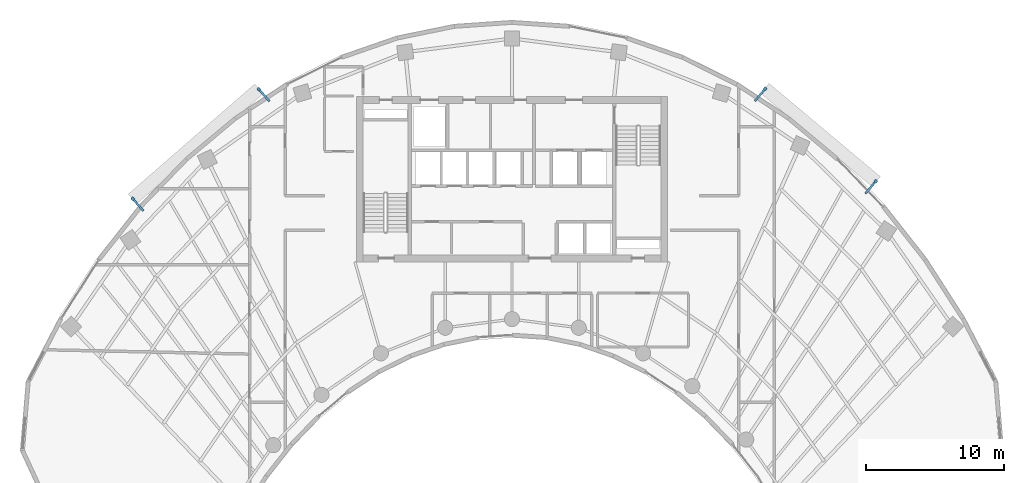
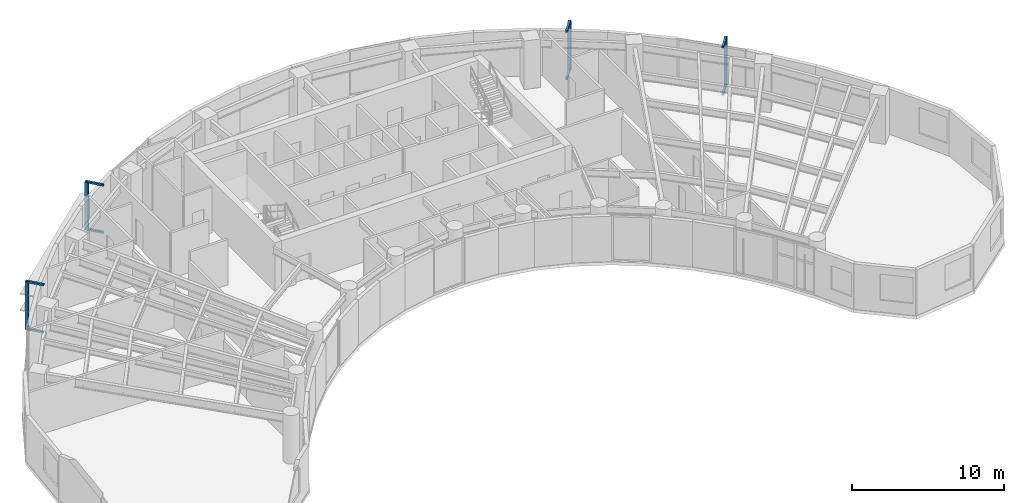
# One storey, part 11 of 13: 12 discrete accessories.
"""IFC4 building model written with IfcOpenShell, lengths in metres."""

from ifc_helpers import new_model, si_unit, direction, frame, origin, origin_2d, place, context, subcontext, project, spatial, rectangle, extrude, source, transform, mapped, material, type_object, type_shapes, element, save


model = new_model("IFC4")

# Units and contexts
model_context = context("Model", 3, precision=1e-05, world=origin(), true_north=direction((0.0, 1.0)))
body_context = subcontext(model_context, "Body", "Model", "MODEL_VIEW")
ifc_project = project(units=[si_unit("LENGTHUNIT", "METRE"), si_unit("AREAUNIT", "SQUARE_METRE"), si_unit("VOLUMEUNIT", "CUBIC_METRE"), si_unit("PLANEANGLEUNIT", "RADIAN"), si_unit("MASSUNIT", "GRAM", prefix="KILO")], contexts=[model_context])

# Site, building, storey
site_placement = place(None, origin())
site = spatial("IfcSite", under=ifc_project, at=site_placement, CompositionType="ELEMENT")
building_placement = place(site_placement, origin())
building = spatial("IfcBuilding", under=site, at=building_placement, Name="Breltana Convention Tower", CompositionType="ELEMENT")
storey_placement = place(building_placement, frame((0.0, 0.0, 166.199951171875)))
storey = spatial("IfcBuildingStorey", under=building, at=storey_placement, Name="L40", CompositionType="ELEMENT", Elevation=166.199951171875)

# Discrete accessories
ifc_material = material(Name="Steel S355", Category="steel")
discrete_accessory_type_1 = type_object("IfcDiscreteAccessoryType", Name="ACC-DSF-BRACKET-150", PredefinedType="BRACKET", material=ifc_material)
shared_shape_1 = source(origin(), body_context, "Body", "SweptSolid", [
    extrude(rectangle(XDim=1.239990234375, YDim=0.14990234375, at=origin_2d()), origin(), (0.0, 0.0, 1.0), 0.139892578125),
])
type_shapes(discrete_accessory_type_1, [shared_shape_1])
for number, where, z_axis, x_axis, name in (
    (1, (20.849853515625, 64.353271484375, -0.15966796875), (0.0, 0.0, 1.0), (-0.65645558996, 0.754364672032, 0.0), "L40 double-skin slab stand-off bracket 1.1B"),
    (2, (20.849853515625, 64.353271484375, 3.64990234375), (0.0, 0.0, 1.0), (-0.65645558996, 0.754364672032, 0.0), "L40 double-skin slab stand-off bracket 1.1T"),
    (3, (29.988525390625, 72.305908203125, -0.15966796875), (0.0, 0.0, 1.0), (-0.65645558996, 0.754364672032, 0.0), "L40 double-skin slab stand-off bracket 1.2B"),
    (4, (29.988525390625, 72.305908203125, 3.64990234375), (0.0, 0.0, 1.0), (-0.65645558996, 0.754364672032, 0.0), "L40 double-skin slab stand-off bracket 1.2T"),
    (5, (66.019287109375, 72.327880859375, -0.15966796875), (0.0, 0.0, 1.0), (0.641989340657, 0.766713562214, 0.0), "L40 double-skin slab stand-off bracket 2.1B"),
    (6, (66.019287109375, 72.327880859375, 3.64990234375), (0.0, 0.0, 1.0), (0.641989340657, 0.766713562214, 0.0), "L40 double-skin slab stand-off bracket 2.1T"),
    (7, (74.037841796875, 65.61376953125, -0.15966796875), (0.0, 0.0, 1.0), (0.641989340657, 0.766713562214, 0.0), "L40 double-skin slab stand-off bracket 2.2B"),
    (8, (74.037841796875, 65.61376953125, 3.64990234375), (0.0, 0.0, 1.0), (0.641989340657, 0.766713562214, 0.0), "L40 double-skin slab stand-off bracket 2.2T"),
):
    element("IfcDiscreteAccessory", number, at=place(storey_placement, frame(where, z_axis=z_axis, x_axis=x_axis)), inside=storey, type_object=discrete_accessory_type_1, Name=name, PredefinedType="BRACKET", context=body_context, shape_type="MappedRepresentation", body=[
        mapped(shared_shape_1, transform((0.0, 0.0, 0.0), scale=1.0)),
    ])
discrete_accessory_type_2 = type_object("IfcDiscreteAccessoryType", Name="ACC-DSF-CARRIER-150", PredefinedType="BRACKET", material=ifc_material)
shared_shape_2 = source(origin(), body_context, "Body", "SweptSolid", [
    extrude(rectangle(XDim=0.219970703125, YDim=0.219970703125, at=origin_2d()), origin(), (0.0, 0.0, 1.0), 3.8701171875),
])
for number, where, z_axis, x_axis, name in (
    (9, (20.482177734375, 64.77587890625, -0.1201171875), (0.0, 0.0, 1.0), (-0.65645558996, 0.754364672032, 0.0), "L40 double-skin outer vertical carrier 1.1"),
    (10, (29.620849609375, 72.728271484375, -0.1201171875), (0.0, 0.0, 1.0), (-0.65645558996, 0.754364672032, 0.0), "L40 double-skin outer vertical carrier 1.2"),
    (11, (66.37890625, 72.757080078125, -0.1201171875), (0.0, 0.0, 1.0), (0.641989340657, 0.766713562214, 0.0), "L40 double-skin outer vertical carrier 2.1"),
    (12, (74.3974609375, 66.043212890625, -0.1201171875), (0.0, 0.0, 1.0), (0.641989340657, 0.766713562214, 0.0), "L40 double-skin outer vertical carrier 2.2"),
):
    element("IfcDiscreteAccessory", number, at=place(storey_placement, frame(where, z_axis=z_axis, x_axis=x_axis)), inside=storey, type_object=discrete_accessory_type_2, Name=name, PredefinedType="BRACKET", context=body_context, shape_type="MappedRepresentation", body=[
        mapped(shared_shape_2, transform((0.0, 0.0, 0.0), scale=1.0)),
    ])

save(model, "model.ifc")
